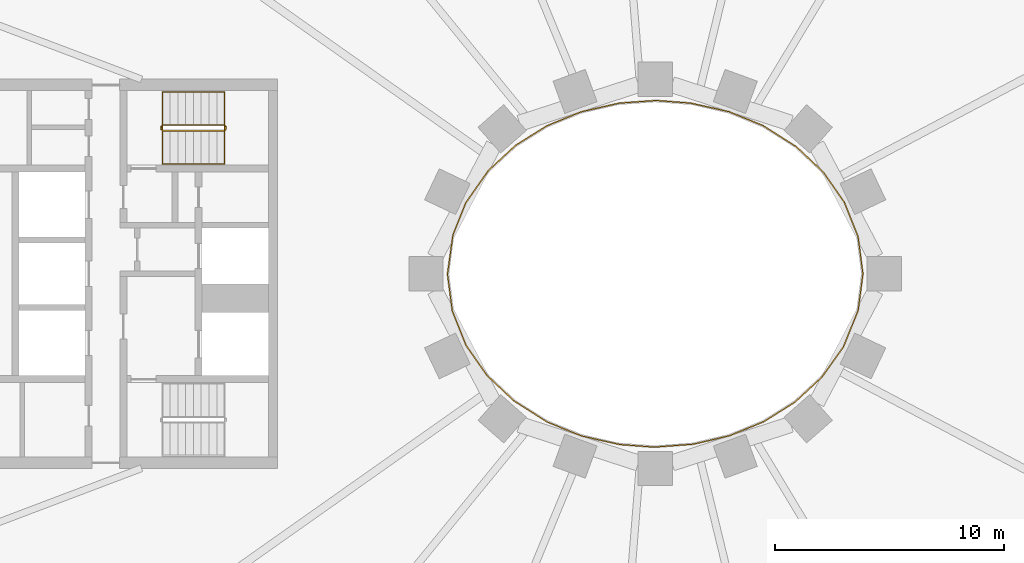
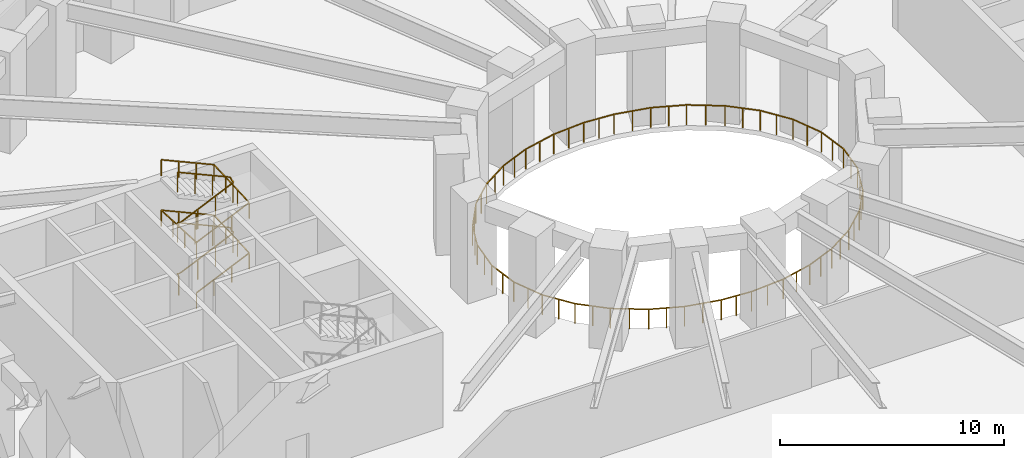
# One storey, part 55 of 63: 3 railings.
"""IFC4 building model written with IfcOpenShell, lengths in metres."""

from ifc_helpers import new_model, si_unit, direction, frame, origin, origin_2d, place, context, subcontext, project, spatial, rectangle, extrude, material, type_object, element, save


model = new_model("IFC4")

# Units and contexts
model_context = context("Model", 3, precision=1e-05, world=origin(), true_north=direction((0.0, 1.0)))
body_context = subcontext(model_context, "Body", "Model", "MODEL_VIEW")
ifc_project = project(units=[si_unit("LENGTHUNIT", "METRE"), si_unit("AREAUNIT", "SQUARE_METRE"), si_unit("VOLUMEUNIT", "CUBIC_METRE"), si_unit("PLANEANGLEUNIT", "RADIAN"), si_unit("MASSUNIT", "GRAM", prefix="KILO")], contexts=[model_context])

# Site, building, storey
site_placement = place(None, origin())
site = spatial("IfcSite", under=ifc_project, at=site_placement, CompositionType="ELEMENT")
building_placement = place(site_placement, origin())
building = spatial("IfcBuilding", under=site, at=building_placement, Name="Noorbagh Ring Tower", CompositionType="ELEMENT")
storey_placement = place(building_placement, frame((0.0, 0.0, 25.0)))
storey = spatial("IfcBuildingStorey", under=building, at=storey_placement, Name="L04", CompositionType="ELEMENT", Elevation=25.0)

# Railings
ifc_material_1 = material(Name="Stainless steel", Category="steel")
railing_type_1 = type_object("IfcRailingType", Name="CORE-STAIR-GUARD", PredefinedType="GUARDRAIL", material=ifc_material_1)
railing_1_placement = place(storey_placement, frame((-21.580078125, 6.300048828125, 0.0)))
element("IfcRailing", 1, at=railing_1_placement, inside=storey, type_object=railing_type_1, Name="L04 ST1 stair guard", PredefinedType="GUARDRAIL", context=body_context, shape_type="SweptSolid", body=[
    extrude(rectangle(XDim=0.048095703125, YDim=0.048095703125, at=origin_2d()), frame((0.0, 0.0, 1.076171875), z_axis=(0.0, 1.0, 0.0), x_axis=(-1.0, 0.0, 0.0)), (0.0, 0.0, 1.0), 0.14990234375),
    extrude(rectangle(XDim=0.048095703125, YDim=0.048095703125, at=origin_2d()), frame((0.0, 0.14990234375, 1.076171875), z_axis=(0.195046945594, -0.779236333862, 0.595606770449), x_axis=(0.970072785993, 0.242814311512, 0.0)), (0.0, 0.0, 1.0), 0.256591796875),
    extrude(rectangle(XDim=0.048095703125, YDim=0.048095703125, at=origin_2d()), frame((0.050048828125, -0.050048828125, 1.22900390625), z_axis=(0.912149621895, 0.0, 0.409857374312), x_axis=(0.0, 1.0, 0.0)), (0.0, 0.0, 1.0), 2.98193359375),
    extrude(rectangle(XDim=0.048095703125, YDim=0.048095703125, at=origin_2d()), frame((2.77001953125, -0.050048828125, 2.451171875), z_axis=(0.707106781187, 0.707106781187, 0.0), x_axis=(-0.707106781187, 0.707106781187, 0.0)), (0.0, 0.0, 1.0), 0.07080078125),
    extrude(rectangle(XDim=0.048095703125, YDim=0.048095703125, at=origin_2d()), frame((2.820068359375, 0.0, 2.451171875), z_axis=(0.0, 1.0, 0.0), x_axis=(-1.0, 0.0, 0.0)), (0.0, 0.0, 1.0), 0.14990234375),
    extrude(rectangle(XDim=0.048095703125, YDim=0.048095703125, at=origin_2d()), frame((2.820068359375, 0.14990234375, 2.451171875), z_axis=(-0.297155754911, 0.297155754911, 0.90741220768), x_axis=(-0.707106781187, -0.707106781187, 0.0)), (0.0, 0.0, 1.0), 0.16845703125),
    extrude(rectangle(XDim=0.048095703125, YDim=0.048095703125, at=origin_2d()), frame((2.77001953125, 0.199951171875, 2.60400390625), z_axis=(-0.912149621895, 0.0, 0.409857374312), x_axis=(0.0, -1.0, 0.0)), (0.0, 0.0, 1.0), 2.98193359375),
    extrude(rectangle(XDim=0.048095703125, YDim=0.048095703125, at=origin_2d()), frame((0.050048828125, 0.199951171875, 3.826171875), z_axis=(-0.242814311512, -0.970072785993, 0.0), x_axis=(0.970072785993, -0.242814311512, 0.0)), (0.0, 0.0, 1.0), 0.2060546875),
    extrude(rectangle(XDim=0.048095703125, YDim=0.048095703125, at=origin_2d()), frame((0.0, 0.0, 3.826171875), z_axis=(0.0, 1.0, 0.0), x_axis=(-1.0, 0.0, 0.0)), (0.0, 0.0, 1.0), 0.14990234375),
    extrude(rectangle(XDim=0.048095703125, YDim=0.048095703125, at=origin_2d()), frame((0.0, 0.14990234375, 3.826171875), z_axis=(0.195046945594, -0.779236333862, 0.595606770449), x_axis=(0.970072785993, 0.242814311512, 0.0)), (0.0, 0.0, 1.0), 0.256591796875),
    extrude(rectangle(XDim=0.048095703125, YDim=0.048095703125, at=origin_2d()), frame((0.050048828125, -0.050048828125, 3.97900390625), z_axis=(0.912149621895, 0.0, 0.409857374312), x_axis=(0.0, 1.0, 0.0)), (0.0, 0.0, 1.0), 2.98193359375),
    extrude(rectangle(XDim=0.048095703125, YDim=0.048095703125, at=origin_2d()), frame((2.77001953125, -0.050048828125, 5.201171875), z_axis=(0.707106781187, 0.707106781187, 0.0), x_axis=(-0.707106781187, 0.707106781187, 0.0)), (0.0, 0.0, 1.0), 0.07080078125),
    extrude(rectangle(XDim=0.048095703125, YDim=0.048095703125, at=origin_2d()), frame((2.820068359375, 0.0, 5.201171875), z_axis=(0.0, 1.0, 0.0), x_axis=(-1.0, 0.0, 0.0)), (0.0, 0.0, 1.0), 0.14990234375),
    extrude(rectangle(XDim=0.048095703125, YDim=0.048095703125, at=origin_2d()), frame((2.820068359375, 0.14990234375, 5.201171875), z_axis=(-0.297155754911, 0.297155754911, 0.90741220768), x_axis=(-0.707106781187, -0.707106781187, 0.0)), (0.0, 0.0, 1.0), 0.16845703125),
    extrude(rectangle(XDim=0.048095703125, YDim=0.048095703125, at=origin_2d()), frame((2.77001953125, 0.199951171875, 5.35400390625), z_axis=(-0.912149621895, 0.0, 0.409857374312), x_axis=(0.0, -1.0, 0.0)), (0.0, 0.0, 1.0), 2.98193359375),
    extrude(rectangle(XDim=0.0419921875, YDim=0.0419921875, at=origin_2d()), origin(), (0.0, 0.0, 1.0), 1.052001953125),
    extrude(rectangle(XDim=0.0419921875, YDim=0.0419921875, at=origin_2d()), frame((0.956787109375, -0.050048828125, 0.560302734375)), (0.0, 0.0, 1.0), 1.052001953125),
    extrude(rectangle(XDim=0.0419921875, YDim=0.0419921875, at=origin_2d()), frame((1.86328125, -0.050048828125, 0.967529296875)), (0.0, 0.0, 1.0), 1.052001953125),
    extrude(rectangle(XDim=0.0419921875, YDim=0.0419921875, at=origin_2d()), frame((2.77001953125, -0.050048828125, 1.375)), (0.0, 0.0, 1.0), 1.052001953125),
    extrude(rectangle(XDim=0.0419921875, YDim=0.0419921875, at=origin_2d()), frame((1.86328125, 0.199951171875, 1.935302734375)), (0.0, 0.0, 1.0), 1.052001953125),
    extrude(rectangle(XDim=0.0419921875, YDim=0.0419921875, at=origin_2d()), frame((0.956787109375, 0.199951171875, 2.342529296875)), (0.0, 0.0, 1.0), 1.052001953125),
    extrude(rectangle(XDim=0.0419921875, YDim=0.0419921875, at=origin_2d()), frame((0.050048828125, 0.199951171875, 2.75)), (0.0, 0.0, 1.0), 1.052001953125),
    extrude(rectangle(XDim=0.0419921875, YDim=0.0419921875, at=origin_2d()), frame((0.956787109375, -0.050048828125, 3.310302734375)), (0.0, 0.0, 1.0), 1.052001953125),
    extrude(rectangle(XDim=0.0419921875, YDim=0.0419921875, at=origin_2d()), frame((1.86328125, -0.050048828125, 3.717529296875)), (0.0, 0.0, 1.0), 1.052001953125),
    extrude(rectangle(XDim=0.0419921875, YDim=0.0419921875, at=origin_2d()), frame((2.77001953125, -0.050048828125, 4.125)), (0.0, 0.0, 1.0), 1.052001953125),
    extrude(rectangle(XDim=0.0419921875, YDim=0.0419921875, at=origin_2d()), frame((1.86328125, 0.199951171875, 4.685302734375)), (0.0, 0.0, 1.0), 1.052001953125),
    extrude(rectangle(XDim=0.0419921875, YDim=0.0419921875, at=origin_2d()), frame((0.956787109375, 0.199951171875, 5.092529296875)), (0.0, 0.0, 1.0), 1.052001953125),
    extrude(rectangle(XDim=0.0419921875, YDim=0.0419921875, at=origin_2d()), frame((0.050048828125, 0.199951171875, 5.5)), (0.0, 0.0, 1.0), 1.052001953125),
])
ifc_material_2 = material(Name="Stainless steel", Category="steel")
railing_type_2 = type_object("IfcRailingType", Name="CORE-STAIR-HANDRAIL", PredefinedType="HANDRAIL", material=ifc_material_2)
railing_2_placement = place(storey_placement, frame((-21.530029296875, 4.800048828125, 0.15283203125)))
element("IfcRailing", 2, at=railing_2_placement, inside=storey, type_object=railing_type_2, Name="L04 ST1 stair handrail", PredefinedType="HANDRAIL", context=body_context, shape_type="SweptSolid", body=[
    extrude(rectangle(XDim=0.048095703125, YDim=0.048095703125, at=origin_2d()), frame((0.0, 0.0, 0.8759765625), z_axis=(0.912149621895, 0.0, 0.409857374312), x_axis=(0.0, 1.0, 0.0)), (0.0, 0.0, 1.0), 2.98193359375),
    extrude(rectangle(XDim=0.048095703125, YDim=0.048095703125, at=origin_2d()), frame((2.719970703125, 0.0, 2.09814453125), z_axis=(0.0, 0.998824997948, 0.048462598722), x_axis=(-1.0, 0.0, 0.0)), (0.0, 0.0, 1.0), 3.153564453125),
    extrude(rectangle(XDim=0.048095703125, YDim=0.048095703125, at=origin_2d()), frame((2.719970703125, 3.14990234375, 2.2509765625), z_axis=(-0.912149621895, 0.0, 0.409857374312), x_axis=(0.0, -1.0, 0.0)), (0.0, 0.0, 1.0), 2.98193359375),
    extrude(rectangle(XDim=0.048095703125, YDim=0.048095703125, at=origin_2d()), frame((0.0, 3.14990234375, 3.47314453125), z_axis=(0.0, -0.998824997948, 0.048462598722), x_axis=(1.0, 0.0, 0.0)), (0.0, 0.0, 1.0), 3.153564453125),
    extrude(rectangle(XDim=0.048095703125, YDim=0.048095703125, at=origin_2d()), frame((0.0, 0.0, 3.6259765625), z_axis=(0.912149621895, 0.0, 0.409857374312), x_axis=(0.0, 1.0, 0.0)), (0.0, 0.0, 1.0), 2.98193359375),
    extrude(rectangle(XDim=0.048095703125, YDim=0.048095703125, at=origin_2d()), frame((2.719970703125, 0.0, 4.84814453125), z_axis=(0.0, 0.998824997948, 0.048462598722), x_axis=(-1.0, 0.0, 0.0)), (0.0, 0.0, 1.0), 3.153564453125),
    extrude(rectangle(XDim=0.048095703125, YDim=0.048095703125, at=origin_2d()), frame((2.719970703125, 3.14990234375, 5.0009765625), z_axis=(-0.912149621895, 0.0, 0.409857374312), x_axis=(0.0, -1.0, 0.0)), (0.0, 0.0, 1.0), 2.98193359375),
    extrude(rectangle(XDim=0.0419921875, YDim=0.0419921875, at=origin_2d()), origin(), (0.0, 0.0, 1.0), 0.851806640625),
    extrude(rectangle(XDim=0.0419921875, YDim=0.0419921875, at=origin_2d()), frame((0.90673828125, 0.0, 0.407470703125)), (0.0, 0.0, 1.0), 0.851806640625),
    extrude(rectangle(XDim=0.0419921875, YDim=0.0419921875, at=origin_2d()), frame((1.813232421875, 0.0, 0.814697265625)), (0.0, 0.0, 1.0), 0.851806640625),
    extrude(rectangle(XDim=0.0419921875, YDim=0.0419921875, at=origin_2d()), frame((2.719970703125, 0.0, 1.22216796875)), (0.0, 0.0, 1.0), 0.851806640625),
    extrude(rectangle(XDim=0.0419921875, YDim=0.0419921875, at=origin_2d()), frame((2.719970703125, 1.050048828125, 1.273193359375)), (0.0, 0.0, 1.0), 0.851806640625),
    extrude(rectangle(XDim=0.0419921875, YDim=0.0419921875, at=origin_2d()), frame((2.719970703125, 2.099853515625, 1.323974609375)), (0.0, 0.0, 1.0), 0.851806640625),
    extrude(rectangle(XDim=0.0419921875, YDim=0.0419921875, at=origin_2d()), frame((2.719970703125, 3.14990234375, 1.375)), (0.0, 0.0, 1.0), 0.851806640625),
    extrude(rectangle(XDim=0.0419921875, YDim=0.0419921875, at=origin_2d()), frame((1.813232421875, 3.14990234375, 1.782470703125)), (0.0, 0.0, 1.0), 0.851806640625),
    extrude(rectangle(XDim=0.0419921875, YDim=0.0419921875, at=origin_2d()), frame((0.90673828125, 3.14990234375, 2.189697265625)), (0.0, 0.0, 1.0), 0.851806640625),
    extrude(rectangle(XDim=0.0419921875, YDim=0.0419921875, at=origin_2d()), frame((0.0, 3.14990234375, 2.59716796875)), (0.0, 0.0, 1.0), 0.851806640625),
    extrude(rectangle(XDim=0.0419921875, YDim=0.0419921875, at=origin_2d()), frame((0.0, 2.099853515625, 2.648193359375)), (0.0, 0.0, 1.0), 0.851806640625),
    extrude(rectangle(XDim=0.0419921875, YDim=0.0419921875, at=origin_2d()), frame((0.0, 1.050048828125, 2.698974609375)), (0.0, 0.0, 1.0), 0.851806640625),
    extrude(rectangle(XDim=0.0419921875, YDim=0.0419921875, at=origin_2d()), frame((0.0, 0.0, 2.75)), (0.0, 0.0, 1.0), 0.851806640625),
    extrude(rectangle(XDim=0.0419921875, YDim=0.0419921875, at=origin_2d()), frame((0.90673828125, 0.0, 3.157470703125)), (0.0, 0.0, 1.0), 0.851806640625),
    extrude(rectangle(XDim=0.0419921875, YDim=0.0419921875, at=origin_2d()), frame((1.813232421875, 0.0, 3.564697265625)), (0.0, 0.0, 1.0), 0.851806640625),
    extrude(rectangle(XDim=0.0419921875, YDim=0.0419921875, at=origin_2d()), frame((2.719970703125, 0.0, 3.97216796875)), (0.0, 0.0, 1.0), 0.851806640625),
    extrude(rectangle(XDim=0.0419921875, YDim=0.0419921875, at=origin_2d()), frame((2.719970703125, 1.050048828125, 4.023193359375)), (0.0, 0.0, 1.0), 0.851806640625),
    extrude(rectangle(XDim=0.0419921875, YDim=0.0419921875, at=origin_2d()), frame((2.719970703125, 2.099853515625, 4.073974609375)), (0.0, 0.0, 1.0), 0.851806640625),
    extrude(rectangle(XDim=0.0419921875, YDim=0.0419921875, at=origin_2d()), frame((2.719970703125, 3.14990234375, 4.125)), (0.0, 0.0, 1.0), 0.851806640625),
    extrude(rectangle(XDim=0.0419921875, YDim=0.0419921875, at=origin_2d()), frame((1.813232421875, 3.14990234375, 4.532470703125)), (0.0, 0.0, 1.0), 0.851806640625),
    extrude(rectangle(XDim=0.0419921875, YDim=0.0419921875, at=origin_2d()), frame((0.90673828125, 3.14990234375, 4.939697265625)), (0.0, 0.0, 1.0), 0.851806640625),
    extrude(rectangle(XDim=0.0419921875, YDim=0.0419921875, at=origin_2d()), frame((0.0, 3.14990234375, 5.34716796875)), (0.0, 0.0, 1.0), 0.851806640625),
])
ifc_material_3 = material(Name="Stainless steel", Category="steel")
railing_type_3 = type_object("IfcRailingType", Name="DECK-GUARD", PredefinedType="GUARDRAIL", material=ifc_material_3)
railing_3_placement = place(storey_placement, frame((4.731689453125, -6.464111328125, 0.0)))
element("IfcRailing", 3, at=railing_3_placement, inside=storey, type_object=railing_type_3, Name="Court edge guard 1", PredefinedType="GUARDRAIL", context=body_context, shape_type="SweptSolid", body=[
    extrude(rectangle(XDim=0.048095703125, YDim=0.048095703125, at=origin_2d()), frame((0.0, 0.0, 1.076171875), z_axis=(-0.925578297012, -0.37855622581, 0.0), x_axis=(0.37855622581, -0.925578297012, 0.0)), (0.0, 0.0, 1.0), 1.613037109375),
    extrude(rectangle(XDim=0.048095703125, YDim=0.048095703125, at=origin_2d()), frame((-1.492919921875, -0.610595703125, 1.076171875), z_axis=(-0.973575816781, -0.22836402733, 0.0), x_axis=(0.22836402733, -0.973575816781, 0.0)), (0.0, 0.0, 1.0), 1.612060546875),
    extrude(rectangle(XDim=0.048095703125, YDim=0.048095703125, at=origin_2d()), frame((-3.0625, -0.978759765625, 1.076171875), z_axis=(-0.997167139614, -0.075217655334, 0.0), x_axis=(0.075217655334, -0.997167139614, 0.0)), (0.0, 0.0, 1.0), 1.717041015625),
    extrude(rectangle(XDim=0.048095703125, YDim=0.048095703125, at=origin_2d()), frame((-4.774658203125, -1.10791015625, 1.076171875), z_axis=(-0.997155622532, 0.075370182782, 0.0), x_axis=(-0.075370182782, -0.997155622532, 0.0)), (0.0, 0.0, 1.0), 1.50634765625),
    extrude(rectangle(XDim=0.048095703125, YDim=0.048095703125, at=origin_2d()), frame((-6.276611328125, -0.994384765625, 1.076171875), z_axis=(-0.975669097813, 0.2192482875, 0.0), x_axis=(-0.2192482875, -0.975669097813, 0.0)), (0.0, 0.0, 1.0), 1.717041015625),
    extrude(rectangle(XDim=0.048095703125, YDim=0.048095703125, at=origin_2d()), frame((-7.951904296875, -0.617919921875, 1.076171875), z_axis=(-0.925652998408, 0.378373527799, 0.0), x_axis=(-0.378373527799, -0.925652998408, 0.0)), (0.0, 0.0, 1.0), 1.613037109375),
    extrude(rectangle(XDim=0.048095703125, YDim=0.048095703125, at=origin_2d()), frame((-9.445068359375, -0.007568359375, 1.076171875), z_axis=(-0.844566526835, 0.535450634279, 0.0), x_axis=(-0.535450634279, -0.844566526835, 0.0)), (0.0, 0.0, 1.0), 1.719482421875),
    extrude(rectangle(XDim=0.048095703125, YDim=0.048095703125, at=origin_2d()), frame((-10.897216796875, 0.9130859375, 1.076171875), z_axis=(-0.72876347067, 0.684765510096, 0.0), x_axis=(-0.684765510096, -0.72876347067, 0.0)), (0.0, 0.0, 1.0), 1.61474609375),
    extrude(rectangle(XDim=0.048095703125, YDim=0.048095703125, at=origin_2d()), frame((-12.073974609375, 2.018798828125, 1.076171875), z_axis=(-0.571869677107, 0.820344483985, 0.0), x_axis=(-0.820344483985, -0.571869677107, 0.0)), (0.0, 0.0, 1.0), 1.6162109375),
    extrude(rectangle(XDim=0.048095703125, YDim=0.048095703125, at=origin_2d()), frame((-12.998291015625, 3.3447265625, 1.076171875), z_axis=(-0.369933542229, 0.929058219023, 0.0), x_axis=(-0.929058219023, -0.369933542229, 0.0)), (0.0, 0.0, 1.0), 1.6181640625),
    extrude(rectangle(XDim=0.048095703125, YDim=0.048095703125, at=origin_2d()), frame((-13.596923828125, 4.84814453125, 1.076171875), z_axis=(-0.128765472629, 0.991675074336, 0.0), x_axis=(-0.991675074336, -0.128765472629, 0.0)), (0.0, 0.0, 1.0), 1.619140625),
    extrude(rectangle(XDim=0.048095703125, YDim=0.048095703125, at=origin_2d()), frame((-13.805419921875, 6.453857421875, 1.076171875), z_axis=(0.138470278675, 0.990366589665, 0.0), x_axis=(-0.990366589665, 0.138470278675, 0.0)), (0.0, 0.0, 1.0), 1.72607421875),
    extrude(rectangle(XDim=0.048095703125, YDim=0.048095703125, at=origin_2d()), frame((-13.56640625, 8.163330078125, 1.076171875), z_axis=(0.371306990602, 0.928510160812, 0.0), x_axis=(-0.928510160812, 0.371306990602, 0.0)), (0.0, 0.0, 1.0), 1.509033203125),
    extrude(rectangle(XDim=0.048095703125, YDim=0.048095703125, at=origin_2d()), frame((-13.006103515625, 9.564453125, 1.076171875), z_axis=(0.573937677408, 0.818898981836, 0.0), x_axis=(-0.818898981836, 0.573937677408, 0.0)), (0.0, 0.0, 1.0), 1.72314453125),
    extrude(rectangle(XDim=0.048095703125, YDim=0.048095703125, at=origin_2d()), frame((-12.01708984375, 10.9755859375, 1.076171875), z_axis=(0.734525137846, 0.678581477697, 0.0), x_axis=(-0.678581477697, 0.734525137846, 0.0)), (0.0, 0.0, 1.0), 1.61474609375),
    extrude(rectangle(XDim=0.048095703125, YDim=0.048095703125, at=origin_2d()), frame((-10.8310546875, 12.0712890625, 1.076171875), z_axis=(0.847402896005, 0.530950404316, 0.0), x_axis=(-0.530950404316, 0.847402896005, 0.0)), (0.0, 0.0, 1.0), 1.614013671875),
    extrude(rectangle(XDim=0.048095703125, YDim=0.048095703125, at=origin_2d()), frame((-9.46337890625, 12.92822265625, 1.076171875), z_axis=(0.925578297012, 0.37855622581, 0.0), x_axis=(-0.37855622581, 0.925578297012, 0.0)), (0.0, 0.0, 1.0), 1.613037109375),
    extrude(rectangle(XDim=0.048095703125, YDim=0.048095703125, at=origin_2d()), frame((-7.970458984375, 13.538818359375, 1.076171875), z_axis=(0.974906126965, 0.222616359701, 0.0), x_axis=(-0.222616359701, 0.974906126965, 0.0)), (0.0, 0.0, 1.0), 1.717529296875),
    extrude(rectangle(XDim=0.048095703125, YDim=0.048095703125, at=origin_2d()), frame((-6.296142578125, 13.921142578125, 1.076171875), z_axis=(0.997451003858, 0.071354711849, 0.0), x_axis=(-0.071354711849, 0.997451003858, 0.0)), (0.0, 0.0, 1.0), 1.611572265625),
    extrude(rectangle(XDim=0.048095703125, YDim=0.048095703125, at=origin_2d()), frame((-4.688720703125, 14.0361328125, 1.076171875), z_axis=(0.997155622532, -0.075370182782, 0.0), x_axis=(0.075370182782, 0.997155622532, 0.0)), (0.0, 0.0, 1.0), 1.50634765625),
    extrude(rectangle(XDim=0.048095703125, YDim=0.048095703125, at=origin_2d()), frame((-3.186767578125, 13.922607421875, 1.076171875), z_axis=(0.975669097813, -0.2192482875, 0.0), x_axis=(0.2192482875, 0.975669097813, 0.0)), (0.0, 0.0, 1.0), 1.717041015625),
    extrude(rectangle(XDim=0.048095703125, YDim=0.048095703125, at=origin_2d()), frame((-1.511474609375, 13.546142578125, 1.076171875), z_axis=(0.925652998408, -0.378373527799, 0.0), x_axis=(0.378373527799, 0.925652998408, 0.0)), (0.0, 0.0, 1.0), 1.613037109375),
    extrude(rectangle(XDim=0.048095703125, YDim=0.048095703125, at=origin_2d()), frame((-0.018310546875, 12.935791015625, 1.076171875), z_axis=(0.844566526835, -0.535450634279, 0.0), x_axis=(0.535450634279, 0.844566526835, 0.0)), (0.0, 0.0, 1.0), 1.719482421875),
    extrude(rectangle(XDim=0.048095703125, YDim=0.048095703125, at=origin_2d()), frame((1.433837890625, 12.01513671875, 1.076171875), z_axis=(0.72876347067, -0.684765510096, 0.0), x_axis=(0.684765510096, 0.72876347067, 0.0)), (0.0, 0.0, 1.0), 1.61474609375),
    extrude(rectangle(XDim=0.048095703125, YDim=0.048095703125, at=origin_2d()), frame((2.610595703125, 10.909423828125, 1.076171875), z_axis=(0.571869677107, -0.820344483985, 0.0), x_axis=(0.820344483985, 0.571869677107, 0.0)), (0.0, 0.0, 1.0), 1.6162109375),
    extrude(rectangle(XDim=0.048095703125, YDim=0.048095703125, at=origin_2d()), frame((3.534912109375, 9.58349609375, 1.076171875), z_axis=(0.369933542229, -0.929058219023, 0.0), x_axis=(0.929058219023, 0.369933542229, 0.0)), (0.0, 0.0, 1.0), 1.6181640625),
    extrude(rectangle(XDim=0.048095703125, YDim=0.048095703125, at=origin_2d()), frame((4.133544921875, 8.080078125, 1.076171875), z_axis=(0.128765472629, -0.991675074336, 0.0), x_axis=(0.991675074336, 0.128765472629, 0.0)), (0.0, 0.0, 1.0), 1.619140625),
    extrude(rectangle(XDim=0.048095703125, YDim=0.048095703125, at=origin_2d()), frame((4.342041015625, 6.474365234375, 1.076171875), z_axis=(-0.100164851189, -0.994970855144, 0.0), x_axis=(0.994970855144, -0.100164851189, 0.0)), (0.0, 0.0, 1.0), 0.109619140625),
    extrude(rectangle(XDim=0.048095703125, YDim=0.048095703125, at=origin_2d()), frame((4.3310546875, 6.365234375, 1.076171875), z_axis=(-0.129069510338, -0.991635548728, 0.0), x_axis=(0.991635548728, -0.129069510338, 0.0)), (0.0, 0.0, 1.0), 1.509521484375),
    extrude(rectangle(XDim=0.048095703125, YDim=0.048095703125, at=origin_2d()), frame((4.13623046875, 4.868408203125, 1.076171875), z_axis=(-0.374804706574, -0.927103787032, 0.0), x_axis=(0.927103787032, -0.374804706574, 0.0)), (0.0, 0.0, 1.0), 1.724853515625),
    extrude(rectangle(XDim=0.048095703125, YDim=0.048095703125, at=origin_2d()), frame((3.48974609375, 3.269287109375, 1.076171875), z_axis=(-0.57942117992, -0.815028279423, 0.0), x_axis=(0.815028279423, -0.57942117992, 0.0)), (0.0, 0.0, 1.0), 1.615478515625),
    extrude(rectangle(XDim=0.048095703125, YDim=0.048095703125, at=origin_2d()), frame((2.5537109375, 1.95263671875, 1.076171875), z_axis=(-0.734525137846, -0.678581477697, 0.0), x_axis=(0.678581477697, -0.734525137846, 0.0)), (0.0, 0.0, 1.0), 1.61474609375),
    extrude(rectangle(XDim=0.048095703125, YDim=0.048095703125, at=origin_2d()), frame((1.36767578125, 0.85693359375, 1.076171875), z_axis=(-0.847402896005, -0.530950404316, 0.0), x_axis=(0.530950404316, -0.847402896005, 0.0)), (0.0, 0.0, 1.0), 1.614013671875),
    extrude(rectangle(XDim=0.0419921875, YDim=0.0419921875, at=origin_2d()), origin(), (0.0, 0.0, 1.0), 1.052001953125),
    extrude(rectangle(XDim=0.0419921875, YDim=0.0419921875, at=origin_2d()), frame((-0.74658203125, -0.30517578125, 0.0)), (0.0, 0.0, 1.0), 1.052001953125),
    extrude(rectangle(XDim=0.0419921875, YDim=0.0419921875, at=origin_2d()), frame((-1.492919921875, -0.610595703125, 0.0)), (0.0, 0.0, 1.0), 1.052001953125),
    extrude(rectangle(XDim=0.0419921875, YDim=0.0419921875, at=origin_2d()), frame((-2.27783203125, -0.794677734375, 0.0)), (0.0, 0.0, 1.0), 1.052001953125),
    extrude(rectangle(XDim=0.0419921875, YDim=0.0419921875, at=origin_2d()), frame((-3.0625, -0.978759765625, 0.0)), (0.0, 0.0, 1.0), 1.052001953125),
    extrude(rectangle(XDim=0.0419921875, YDim=0.0419921875, at=origin_2d()), frame((-3.91845703125, -1.04345703125, 0.0)), (0.0, 0.0, 1.0), 1.052001953125),
    extrude(rectangle(XDim=0.0419921875, YDim=0.0419921875, at=origin_2d()), frame((-4.774658203125, -1.10791015625, 0.0)), (0.0, 0.0, 1.0), 1.052001953125),
    extrude(rectangle(XDim=0.0419921875, YDim=0.0419921875, at=origin_2d()), frame((-5.525634765625, -1.05126953125, 0.0)), (0.0, 0.0, 1.0), 1.052001953125),
    extrude(rectangle(XDim=0.0419921875, YDim=0.0419921875, at=origin_2d()), frame((-6.276611328125, -0.994384765625, 0.0)), (0.0, 0.0, 1.0), 1.052001953125),
    extrude(rectangle(XDim=0.0419921875, YDim=0.0419921875, at=origin_2d()), frame((-7.1142578125, -0.80615234375, 0.0)), (0.0, 0.0, 1.0), 1.052001953125),
    extrude(rectangle(XDim=0.0419921875, YDim=0.0419921875, at=origin_2d()), frame((-7.951904296875, -0.617919921875, 0.0)), (0.0, 0.0, 1.0), 1.052001953125),
    extrude(rectangle(XDim=0.0419921875, YDim=0.0419921875, at=origin_2d()), frame((-8.698486328125, -0.312744140625, 0.0)), (0.0, 0.0, 1.0), 1.052001953125),
    extrude(rectangle(XDim=0.0419921875, YDim=0.0419921875, at=origin_2d()), frame((-9.445068359375, -0.007568359375, 0.0)), (0.0, 0.0, 1.0), 1.052001953125),
    extrude(rectangle(XDim=0.0419921875, YDim=0.0419921875, at=origin_2d()), frame((-10.171142578125, 0.45263671875, 0.0)), (0.0, 0.0, 1.0), 1.052001953125),
    extrude(rectangle(XDim=0.0419921875, YDim=0.0419921875, at=origin_2d()), frame((-10.897216796875, 0.9130859375, 0.0)), (0.0, 0.0, 1.0), 1.052001953125),
    extrude(rectangle(XDim=0.0419921875, YDim=0.0419921875, at=origin_2d()), frame((-11.485595703125, 1.4658203125, 0.0)), (0.0, 0.0, 1.0), 1.052001953125),
    extrude(rectangle(XDim=0.0419921875, YDim=0.0419921875, at=origin_2d()), frame((-12.073974609375, 2.018798828125, 0.0)), (0.0, 0.0, 1.0), 1.052001953125),
    extrude(rectangle(XDim=0.0419921875, YDim=0.0419921875, at=origin_2d()), frame((-12.5361328125, 2.681640625, 0.0)), (0.0, 0.0, 1.0), 1.052001953125),
    extrude(rectangle(XDim=0.0419921875, YDim=0.0419921875, at=origin_2d()), frame((-12.998291015625, 3.3447265625, 0.0)), (0.0, 0.0, 1.0), 1.052001953125),
    extrude(rectangle(XDim=0.0419921875, YDim=0.0419921875, at=origin_2d()), frame((-13.297607421875, 4.096435546875, 0.0)), (0.0, 0.0, 1.0), 1.052001953125),
    extrude(rectangle(XDim=0.0419921875, YDim=0.0419921875, at=origin_2d()), frame((-13.596923828125, 4.84814453125, 0.0)), (0.0, 0.0, 1.0), 1.052001953125),
    extrude(rectangle(XDim=0.0419921875, YDim=0.0419921875, at=origin_2d()), frame((-13.701171875, 5.65087890625, 0.0)), (0.0, 0.0, 1.0), 1.052001953125),
    extrude(rectangle(XDim=0.0419921875, YDim=0.0419921875, at=origin_2d()), frame((-13.805419921875, 6.453857421875, 0.0)), (0.0, 0.0, 1.0), 1.052001953125),
    extrude(rectangle(XDim=0.0419921875, YDim=0.0419921875, at=origin_2d()), frame((-13.68603515625, 7.30859375, 0.0)), (0.0, 0.0, 1.0), 1.052001953125),
    extrude(rectangle(XDim=0.0419921875, YDim=0.0419921875, at=origin_2d()), frame((-13.56640625, 8.163330078125, 0.0)), (0.0, 0.0, 1.0), 1.052001953125),
    extrude(rectangle(XDim=0.0419921875, YDim=0.0419921875, at=origin_2d()), frame((-13.2861328125, 8.86376953125, 0.0)), (0.0, 0.0, 1.0), 1.052001953125),
    extrude(rectangle(XDim=0.0419921875, YDim=0.0419921875, at=origin_2d()), frame((-13.006103515625, 9.564453125, 0.0)), (0.0, 0.0, 1.0), 1.052001953125),
    extrude(rectangle(XDim=0.0419921875, YDim=0.0419921875, at=origin_2d()), frame((-12.51171875, 10.27001953125, 0.0)), (0.0, 0.0, 1.0), 1.052001953125),
    extrude(rectangle(XDim=0.0419921875, YDim=0.0419921875, at=origin_2d()), frame((-12.01708984375, 10.9755859375, 0.0)), (0.0, 0.0, 1.0), 1.052001953125),
    extrude(rectangle(XDim=0.0419921875, YDim=0.0419921875, at=origin_2d()), frame((-11.424072265625, 11.5234375, 0.0)), (0.0, 0.0, 1.0), 1.052001953125),
    extrude(rectangle(XDim=0.0419921875, YDim=0.0419921875, at=origin_2d()), frame((-10.8310546875, 12.0712890625, 0.0)), (0.0, 0.0, 1.0), 1.052001953125),
    extrude(rectangle(XDim=0.0419921875, YDim=0.0419921875, at=origin_2d()), frame((-10.147216796875, 12.499755859375, 0.0)), (0.0, 0.0, 1.0), 1.052001953125),
    extrude(rectangle(XDim=0.0419921875, YDim=0.0419921875, at=origin_2d()), frame((-9.46337890625, 12.92822265625, 0.0)), (0.0, 0.0, 1.0), 1.052001953125),
    extrude(rectangle(XDim=0.0419921875, YDim=0.0419921875, at=origin_2d()), frame((-8.716796875, 13.2333984375, 0.0)), (0.0, 0.0, 1.0), 1.052001953125),
    extrude(rectangle(XDim=0.0419921875, YDim=0.0419921875, at=origin_2d()), frame((-7.970458984375, 13.538818359375, 0.0)), (0.0, 0.0, 1.0), 1.052001953125),
    extrude(rectangle(XDim=0.0419921875, YDim=0.0419921875, at=origin_2d()), frame((-7.13330078125, 13.72998046875, 0.0)), (0.0, 0.0, 1.0), 1.052001953125),
    extrude(rectangle(XDim=0.0419921875, YDim=0.0419921875, at=origin_2d()), frame((-6.296142578125, 13.921142578125, 0.0)), (0.0, 0.0, 1.0), 1.052001953125),
    extrude(rectangle(XDim=0.0419921875, YDim=0.0419921875, at=origin_2d()), frame((-5.492431640625, 13.978515625, 0.0)), (0.0, 0.0, 1.0), 1.052001953125),
    extrude(rectangle(XDim=0.0419921875, YDim=0.0419921875, at=origin_2d()), frame((-4.688720703125, 14.0361328125, 0.0)), (0.0, 0.0, 1.0), 1.052001953125),
    extrude(rectangle(XDim=0.0419921875, YDim=0.0419921875, at=origin_2d()), frame((-3.937744140625, 13.9794921875, 0.0)), (0.0, 0.0, 1.0), 1.052001953125),
    extrude(rectangle(XDim=0.0419921875, YDim=0.0419921875, at=origin_2d()), frame((-3.186767578125, 13.922607421875, 0.0)), (0.0, 0.0, 1.0), 1.052001953125),
    extrude(rectangle(XDim=0.0419921875, YDim=0.0419921875, at=origin_2d()), frame((-2.34912109375, 13.734375, 0.0)), (0.0, 0.0, 1.0), 1.052001953125),
    extrude(rectangle(XDim=0.0419921875, YDim=0.0419921875, at=origin_2d()), frame((-1.511474609375, 13.546142578125, 0.0)), (0.0, 0.0, 1.0), 1.052001953125),
    extrude(rectangle(XDim=0.0419921875, YDim=0.0419921875, at=origin_2d()), frame((-0.764892578125, 13.240966796875, 0.0)), (0.0, 0.0, 1.0), 1.052001953125),
    extrude(rectangle(XDim=0.0419921875, YDim=0.0419921875, at=origin_2d()), frame((-0.018310546875, 12.935791015625, 0.0)), (0.0, 0.0, 1.0), 1.052001953125),
    extrude(rectangle(XDim=0.0419921875, YDim=0.0419921875, at=origin_2d()), frame((0.707763671875, 12.4755859375, 0.0)), (0.0, 0.0, 1.0), 1.052001953125),
    extrude(rectangle(XDim=0.0419921875, YDim=0.0419921875, at=origin_2d()), frame((1.433837890625, 12.01513671875, 0.0)), (0.0, 0.0, 1.0), 1.052001953125),
    extrude(rectangle(XDim=0.0419921875, YDim=0.0419921875, at=origin_2d()), frame((2.022216796875, 11.46240234375, 0.0)), (0.0, 0.0, 1.0), 1.052001953125),
    extrude(rectangle(XDim=0.0419921875, YDim=0.0419921875, at=origin_2d()), frame((2.610595703125, 10.909423828125, 0.0)), (0.0, 0.0, 1.0), 1.052001953125),
    extrude(rectangle(XDim=0.0419921875, YDim=0.0419921875, at=origin_2d()), frame((3.07275390625, 10.24658203125, 0.0)), (0.0, 0.0, 1.0), 1.052001953125),
    extrude(rectangle(XDim=0.0419921875, YDim=0.0419921875, at=origin_2d()), frame((3.534912109375, 9.58349609375, 0.0)), (0.0, 0.0, 1.0), 1.052001953125),
    extrude(rectangle(XDim=0.0419921875, YDim=0.0419921875, at=origin_2d()), frame((3.834228515625, 8.831787109375, 0.0)), (0.0, 0.0, 1.0), 1.052001953125),
    extrude(rectangle(XDim=0.0419921875, YDim=0.0419921875, at=origin_2d()), frame((4.133544921875, 8.080078125, 0.0)), (0.0, 0.0, 1.0), 1.052001953125),
    extrude(rectangle(XDim=0.0419921875, YDim=0.0419921875, at=origin_2d()), frame((4.23779296875, 7.27734375, 0.0)), (0.0, 0.0, 1.0), 1.052001953125),
    extrude(rectangle(XDim=0.0419921875, YDim=0.0419921875, at=origin_2d()), frame((4.342041015625, 6.474365234375, 0.0)), (0.0, 0.0, 1.0), 1.052001953125),
    extrude(rectangle(XDim=0.0419921875, YDim=0.0419921875, at=origin_2d()), frame((4.233642578125, 5.61669921875, 0.0)), (0.0, 0.0, 1.0), 1.052001953125),
    extrude(rectangle(XDim=0.0419921875, YDim=0.0419921875, at=origin_2d()), frame((4.13623046875, 4.868408203125, 0.0)), (0.0, 0.0, 1.0), 1.052001953125),
    extrude(rectangle(XDim=0.0419921875, YDim=0.0419921875, at=origin_2d()), frame((3.81298828125, 4.06884765625, 0.0)), (0.0, 0.0, 1.0), 1.052001953125),
    extrude(rectangle(XDim=0.0419921875, YDim=0.0419921875, at=origin_2d()), frame((3.48974609375, 3.269287109375, 0.0)), (0.0, 0.0, 1.0), 1.052001953125),
    extrude(rectangle(XDim=0.0419921875, YDim=0.0419921875, at=origin_2d()), frame((3.021728515625, 2.61083984375, 0.0)), (0.0, 0.0, 1.0), 1.052001953125),
    extrude(rectangle(XDim=0.0419921875, YDim=0.0419921875, at=origin_2d()), frame((2.5537109375, 1.95263671875, 0.0)), (0.0, 0.0, 1.0), 1.052001953125),
    extrude(rectangle(XDim=0.0419921875, YDim=0.0419921875, at=origin_2d()), frame((1.960693359375, 1.40478515625, 0.0)), (0.0, 0.0, 1.0), 1.052001953125),
    extrude(rectangle(XDim=0.0419921875, YDim=0.0419921875, at=origin_2d()), frame((1.36767578125, 0.85693359375, 0.0)), (0.0, 0.0, 1.0), 1.052001953125),
    extrude(rectangle(XDim=0.0419921875, YDim=0.0419921875, at=origin_2d()), frame((0.683837890625, 0.428466796875, 0.0)), (0.0, 0.0, 1.0), 1.052001953125),
])

save(model, "model.ifc")
